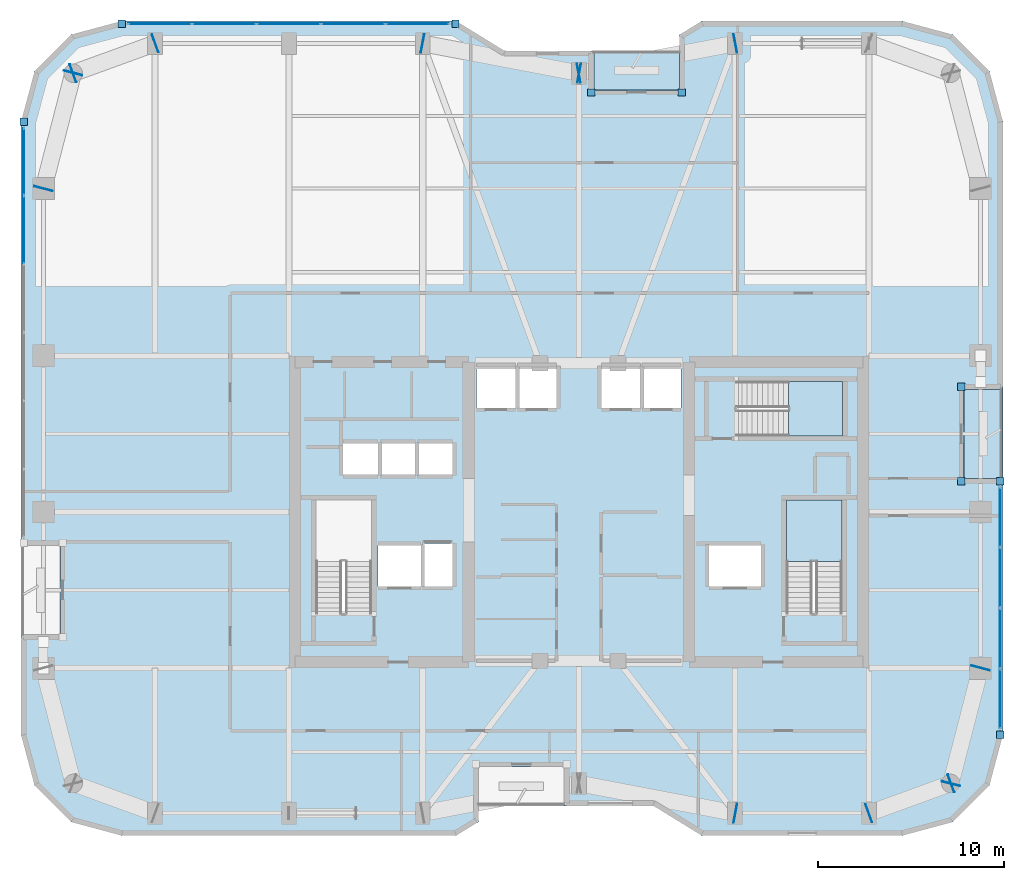
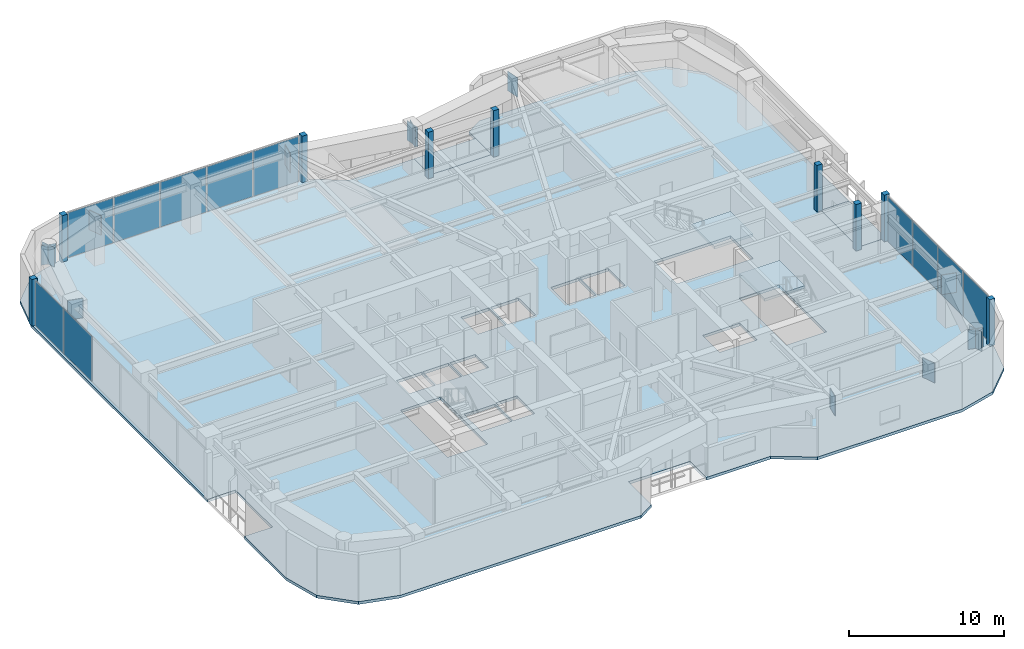
# One storey, part 22 of 30: 33 plates, 5 slabs, 5 elements without a shape of their own.
"""IFC4 building model written with IfcOpenShell, lengths in metres."""

from ifc_helpers import new_model, si_unit, direction, frame, origin, origin_2d, place, context, subcontext, project, spatial, polyline, rectangle, outline, extrude, material, layer, layer_set, type_object, element, aggregate, save


model = new_model("IFC4")

# Units and contexts
model_context = context("Model", 3, precision=1e-05, world=origin(), true_north=direction((0.0, 1.0)))
body_context = subcontext(model_context, "Body", "Model", "MODEL_VIEW")
ifc_project = project(units=[si_unit("LENGTHUNIT", "METRE"), si_unit("AREAUNIT", "SQUARE_METRE"), si_unit("VOLUMEUNIT", "CUBIC_METRE"), si_unit("PLANEANGLEUNIT", "RADIAN"), si_unit("MASSUNIT", "GRAM", prefix="KILO")], contexts=[model_context])

# Site, building, storey
site_placement = place(None, origin())
site = spatial("IfcSite", under=ifc_project, at=site_placement, CompositionType="ELEMENT")
building_placement = place(site_placement, origin())
building = spatial("IfcBuilding", under=site, at=building_placement, Name="Kiyonajd Concourse Tower", CompositionType="ELEMENT")
storey_placement = place(building_placement, frame((0.0, 0.0, 198.0)))
storey = spatial("IfcBuildingStorey", under=building, at=storey_placement, Name="L50", CompositionType="ELEMENT", Elevation=198.0)

# Plates
ifc_material_1 = material(Name="Steel ASTM A572 Grade 50", Category="steel")
ifc_layer_1 = layer(ifc_material_1, 0.031982421875)
ifc_layer_set_1 = layer_set([ifc_layer_1], Name="Steel ASTM A572 Grade 50")
plate_type_1 = type_object("IfcPlateType", Name="PL-CAP-540", PredefinedType="USERDEFINED", material=ifc_layer_set_1)
for number, where, z_axis, x_axis, name in (
    (1, (56.410888671875, 19.7978515625, 2.2099609375), (0.0, 0.0, 1.0), (0.982352599301, -0.187038420242, 0.0), "L50 Welded Box Girder End Cap"),
    (2, (63.589599609375, 19.796142578125, 2.2099609375), (0.0, 0.0, 1.0), (-0.939811951086, -0.341692107891, 0.0), "L50 Welded Box Girder End Cap"),
    (3, (68.01025390625, 21.40380859375, 2.2099609375), (0.0, 0.0, 1.0), (0.939811951086, 0.341692107891, 0.0), "L50 Welded Box Girder End Cap"),
    (4, (67.997314453125, 21.389404296875, 2.2099609375), (0.0, 0.0, 1.0), (-0.249873048837, -0.968278606324, 0.0), "L50 Welded Box Girder End Cap"),
    (5, (69.602783203125, 27.610595703125, 2.2099609375), (0.0, 0.0, 1.0), (0.249873048837, 0.968278606324, 0.0), "L50 Welded Box Girder End Cap"),
    (6, (56.410888671875, 61.2021484375, 2.2099609375), (0.0, 0.0, 1.0), (0.982352599301, 0.187038420242, 0.0), "L50 Welded Box Girder End Cap"),
    (7, (47.9892578125, 59.597900390625, 2.2099609375), (0.0, 0.0, 1.0), (-0.982352599301, -0.187038420242, 0.0), "L50 Welded Box Girder End Cap"),
    (8, (48.0107421875, 59.597900390625, 2.2099609375), (0.0, 0.0, 1.0), (0.982352599301, -0.187038420242, 0.0), "L50 Welded Box Girder End Cap"),
    (9, (39.589111328125, 61.2021484375, 2.2099609375), (0.0, 0.0, 1.0), (-0.982352599301, 0.187038420242, 0.0), "L50 Welded Box Girder End Cap"),
    (10, (25.210205078125, 61.203857421875, 2.2099609375), (0.0, 0.0, 1.0), (0.939811951086, 0.341692107891, 0.0), "L50 Welded Box Girder End Cap"),
    (11, (20.789794921875, 59.59619140625, 2.2099609375), (0.0, 0.0, 1.0), (-0.939811951086, -0.341692107891, 0.0), "L50 Welded Box Girder End Cap"),
    (12, (20.802734375, 59.610595703125, 2.2099609375), (0.0, 0.0, 1.0), (0.249873048837, 0.968278606324, 0.0), "L50 Welded Box Girder End Cap"),
    (13, (19.197265625, 53.389404296875, 2.2099609375), (0.0, 0.0, 1.0), (-0.249873048837, -0.968278606324, 0.0), "L50 Welded Box Girder End Cap"),
):
    element("IfcPlate", number, at=place(storey_placement, frame(where, z_axis=z_axis, x_axis=x_axis)), inside=storey, type_object=plate_type_1, Name=name, ObjectType="CAP PLATE", PredefinedType="USERDEFINED", context=body_context, shape_type="SweptSolid", body=[
        extrude(rectangle(XDim=0.035888671875, YDim=1.02001953125, at=origin_2d()), origin(), (0.0, 0.0, 1.0), 1.5400390625),
    ])

# Curtain wall, plates
ifc_material_2 = material(Name="Thermally Broken Anodised Aluminium", Category="aluminium")
ifc_layer_2 = layer(ifc_material_2, 0.179931640625)
ifc_layer_set_2 = layer_set([ifc_layer_2], Name="Thermally Broken Anodised Aluminium")
curtain_wall_type = type_object("IfcCurtainWallType", Name="CW-SYS-03", PredefinedType="NOTDEFINED", material=ifc_layer_set_2)
curtain_wall_1_placement = place(storey_placement, origin())
curtain_wall_1 = element("IfcCurtainWall", 14, at=curtain_wall_1_placement, inside=storey, type_object=curtain_wall_type, Name="L50 Unitised Curtain Wall CW3", PredefinedType="NOTDEFINED")
ifc_material_3 = material(Name="Double Low-E Insulated Glass", Category="glass")
ifc_layer_3 = layer(ifc_material_3, 0.033935546875)
ifc_layer_set_3 = layer_set([ifc_layer_3], Name="Double Low-E Insulated Glass")
plate_type_2 = type_object("IfcPlateType", Name="PL-CW-VIS34", PredefinedType="CURTAIN_PANEL", material=ifc_layer_set_3)
plate_1_placement = place(storey_placement, frame((18.139892578125, 51.17626953125, 0.06494140625), z_axis=(0.0, 0.0, 1.0), x_axis=(0.0, 1.0, 0.0)))
plate_1 = element("IfcPlate", 15, at=plate_1_placement, type_object=plate_type_2, Name="CW3 panel 5.1", PredefinedType="CURTAIN_PANEL", context=body_context, shape_type="SweptSolid", body=[
    extrude(rectangle(XDim=3.61181640625, YDim=0.033935546875, at=origin_2d()), origin(), (0.0, 0.0, 1.0), 3.550048828125),
])
plate_2_placement = place(storey_placement, frame((18.139892578125, 54.8369140625, 0.06494140625), z_axis=(0.0, 0.0, 1.0), x_axis=(0.0, 1.0, 0.0)))
plate_2 = element("IfcPlate", 16, at=plate_2_placement, type_object=plate_type_2, Name="CW3 panel 6.1", PredefinedType="CURTAIN_PANEL", context=body_context, shape_type="SweptSolid", body=[
    extrude(rectangle(XDim=3.579345703125, YDim=0.033935546875, at=origin_2d()), origin(), (0.0, 0.0, 1.0), 3.550048828125),
])
aggregate(curtain_wall_1, [plate_1, plate_2])

curtain_wall_2_placement = place(storey_placement, origin())
curtain_wall_2 = element("IfcCurtainWall", 17, at=curtain_wall_2_placement, inside=storey, type_object=curtain_wall_type, Name="L50 Unitised Curtain Wall CW3", PredefinedType="NOTDEFINED")
plate_3_placement = place(storey_placement, frame((25.4609375, 62.260009765625, 0.06494140625), z_axis=(0.0, 0.0, 1.0), x_axis=(1.0, 0.0, 0.0)))
plate_3 = element("IfcPlate", 18, at=plate_3_placement, type_object=plate_type_2, Name="CW3 panel 1.1", PredefinedType="CURTAIN_PANEL", context=body_context, shape_type="SweptSolid", body=[
    extrude(rectangle(XDim=3.375, YDim=0.033935546875, at=origin_2d()), origin(), (0.0, 0.0, 1.0), 3.550048828125),
])
plate_4_placement = place(storey_placement, frame((28.9169921875, 62.260009765625, 0.06494140625), z_axis=(0.0, 0.0, 1.0), x_axis=(1.0, 0.0, 0.0)))
plate_4 = element("IfcPlate", 19, at=plate_4_placement, type_object=plate_type_2, Name="CW3 panel 2.1", PredefinedType="CURTAIN_PANEL", context=body_context, shape_type="SweptSolid", body=[
    extrude(rectangle(XDim=3.407470703125, YDim=0.033935546875, at=origin_2d()), origin(), (0.0, 0.0, 1.0), 3.550048828125),
])
plate_5_placement = place(storey_placement, frame((32.389404296875, 62.260009765625, 0.06494140625), z_axis=(0.0, 0.0, 1.0), x_axis=(1.0, 0.0, 0.0)))
plate_5 = element("IfcPlate", 20, at=plate_5_placement, type_object=plate_type_2, Name="CW3 panel 3.1", PredefinedType="CURTAIN_PANEL", context=body_context, shape_type="SweptSolid", body=[
    extrude(rectangle(XDim=3.407470703125, YDim=0.033935546875, at=origin_2d()), origin(), (0.0, 0.0, 1.0), 3.550048828125),
])
plate_6_placement = place(storey_placement, frame((35.86181640625, 62.260009765625, 0.06494140625), z_axis=(0.0, 0.0, 1.0), x_axis=(1.0, 0.0, 0.0)))
plate_6 = element("IfcPlate", 21, at=plate_6_placement, type_object=plate_type_2, Name="CW3 panel 4.1", PredefinedType="CURTAIN_PANEL", context=body_context, shape_type="SweptSolid", body=[
    extrude(rectangle(XDim=3.407470703125, YDim=0.033935546875, at=origin_2d()), origin(), (0.0, 0.0, 1.0), 3.550048828125),
])
plate_7_placement = place(storey_placement, frame((39.31787109375, 62.260009765625, 0.06494140625), z_axis=(0.0, 0.0, 1.0), x_axis=(1.0, 0.0, 0.0)))
plate_7 = element("IfcPlate", 22, at=plate_7_placement, type_object=plate_type_2, Name="CW3 panel 5.1", PredefinedType="CURTAIN_PANEL", context=body_context, shape_type="SweptSolid", body=[
    extrude(rectangle(XDim=3.375, YDim=0.033935546875, at=origin_2d()), origin(), (0.0, 0.0, 1.0), 3.550048828125),
])
aggregate(curtain_wall_2, [plate_3, plate_4, plate_5, plate_6, plate_7])

curtain_wall_3_placement = place(storey_placement, origin())
curtain_wall_3 = element("IfcCurtainWall", 23, at=curtain_wall_3_placement, inside=storey, type_object=curtain_wall_type, Name="L50 Unitised Curtain Wall CW3", PredefinedType="NOTDEFINED")
plate_8_placement = place(storey_placement, frame((70.659912109375, 35.720947265625, 0.06494140625), z_axis=(0.0, 0.0, 1.0), x_axis=(0.0, -1.0, 0.0)))
plate_8 = element("IfcPlate", 24, at=plate_8_placement, type_object=plate_type_2, Name="CW3 panel 1.1", PredefinedType="CURTAIN_PANEL", context=body_context, shape_type="SweptSolid", body=[
    extrude(rectangle(XDim=3.16796875, YDim=0.033935546875, at=origin_2d()), origin(), (0.0, 0.0, 1.0), 3.550048828125),
])
plate_9_placement = place(storey_placement, frame((70.659912109375, 32.471923828125, 0.06494140625), z_axis=(0.0, 0.0, 1.0), x_axis=(0.0, -1.0, 0.0)))
plate_9 = element("IfcPlate", 25, at=plate_9_placement, type_object=plate_type_2, Name="CW3 panel 2.1", PredefinedType="CURTAIN_PANEL", context=body_context, shape_type="SweptSolid", body=[
    extrude(rectangle(XDim=3.200439453125, YDim=0.033935546875, at=origin_2d()), origin(), (0.0, 0.0, 1.0), 3.550048828125),
])
plate_10_placement = place(storey_placement, frame((70.659912109375, 29.20654296875, 0.06494140625), z_axis=(0.0, 0.0, 1.0), x_axis=(0.0, -1.0, 0.0)))
plate_10 = element("IfcPlate", 26, at=plate_10_placement, type_object=plate_type_2, Name="CW3 panel 3.1", PredefinedType="CURTAIN_PANEL", context=body_context, shape_type="SweptSolid", body=[
    extrude(rectangle(XDim=3.200439453125, YDim=0.033935546875, at=origin_2d()), origin(), (0.0, 0.0, 1.0), 3.550048828125),
])
plate_11_placement = place(storey_placement, frame((70.659912109375, 25.957275390625, 0.06494140625), z_axis=(0.0, 0.0, 1.0), x_axis=(0.0, -1.0, 0.0)))
plate_11 = element("IfcPlate", 27, at=plate_11_placement, type_object=plate_type_2, Name="CW3 panel 4.1", PredefinedType="CURTAIN_PANEL", context=body_context, shape_type="SweptSolid", body=[
    extrude(rectangle(XDim=3.16796875, YDim=0.033935546875, at=origin_2d()), origin(), (0.0, 0.0, 1.0), 3.550048828125),
])
aggregate(curtain_wall_3, [plate_8, plate_9, plate_10, plate_11])

# Plates
ifc_layer_4 = layer(ifc_material_2, 0.39990234375)
ifc_layer_set_4 = layer_set([ifc_layer_4], Name="Thermally Broken Anodised Aluminium")
plate_type_3 = type_object("IfcPlateType", Name="PL-JMB-400", PredefinedType="USERDEFINED", material=ifc_layer_set_4)
for number, where, z_axis, x_axis, name in (
    (28, (18.139892578125, 56.981689453125, 0.0), (0.0, 0.0, 1.0), (1.0, 0.0, 0.0), "L50 Facade Jamb Closure Plate 04"),
    (29, (23.41845703125, 62.260009765625, 0.0), (0.0, 0.0, 1.0), (1.0, 0.0, 0.0), "L50 Facade Jamb Closure Plate 05"),
    (30, (41.3603515625, 62.260009765625, 0.0), (0.0, 0.0, 1.0), (1.0, 0.0, 0.0), "L50 Facade Jamb Closure Plate 06"),
    (31, (48.659912109375, 58.56005859375, 0.0), (0.0, 0.0, 1.0), (1.0, 0.0, 0.0), "L50 Facade Jamb Closure Plate 07"),
    (32, (53.5400390625, 58.56005859375, 0.0), (0.0, 0.0, 1.0), (1.0, 0.0, 0.0), "L50 Facade Jamb Closure Plate 08"),
    (33, (68.56005859375, 42.739990234375, 0.0), (0.0, 0.0, 1.0), (1.0, 0.0, 0.0), "L50 Facade Jamb Closure Plate 09"),
    (34, (68.56005859375, 37.659912109375, 0.0), (0.0, 0.0, 1.0), (1.0, 0.0, 0.0), "L50 Facade Jamb Closure Plate 10"),
    (35, (70.659912109375, 37.659912109375, 0.0), (0.0, 0.0, 1.0), (1.0, 0.0, 0.0), "L50 Facade Jamb Closure Plate 11"),
    (36, (70.659912109375, 24.018310546875, 0.0), (0.0, 0.0, 1.0), (1.0, 0.0, 0.0), "L50 Facade Jamb Closure Plate 12"),
):
    element("IfcPlate", number, at=place(storey_placement, frame(where, z_axis=z_axis, x_axis=x_axis)), inside=storey, type_object=plate_type_3, Name=name, ObjectType="JAMB PLATE", PredefinedType="USERDEFINED", context=body_context, shape_type="SweptSolid", body=[
        extrude(rectangle(XDim=0.39990234375, YDim=0.39990234375, at=origin_2d()), origin(), (0.0, 0.0, 1.0), 3.679931640625),
    ])

# Stair, slab
ifc_material_4 = material(Name="Concrete C40/50", Category="concrete")
stair_type = type_object("IfcStairType", Name="ST-DLG-22R", PredefinedType="HALF_TURN_STAIR", material=ifc_material_4)
stair_1_placement = place(storey_placement, origin())
stair_1 = element("IfcStair", 37, at=stair_1_placement, inside=storey, type_object=stair_type, Name="L50 Protected Exit Stair ST2", PredefinedType="HALF_TURN_STAIR")
ifc_layer_5 = layer(ifc_material_4, 0.199951171875)
ifc_layer_set_5 = layer_set([ifc_layer_5], Name="Concrete C40/50")
slab_type_1 = type_object("IfcSlabType", Name="SL-LND-200", PredefinedType="LANDING", material=ifc_layer_set_5)
slab_1_placement = place(storey_placement, frame((0.0, 0.0, 1.75)))
slab_1 = element("IfcSlab", 38, at=slab_1_placement, type_object=slab_type_1, Name="ST2 landing 1", PredefinedType="LANDING", context=body_context, shape_type="SweptSolid", body=[
    extrude(outline(polyline([(62.14990234375, 33.35009765625), (62.14990234375, 36.64990234375), (59.14990234375, 36.64990234375), (59.14990234375, 33.35009765625), (62.14990234375, 33.35009765625)])), origin(), (0.0, 0.0, 1.0), 0.199951171875),
])
aggregate(stair_1, [slab_1])

stair_2_placement = place(storey_placement, origin())
stair_2 = element("IfcStair", 39, at=stair_2_placement, inside=storey, type_object=stair_type, Name="L50 Protected Exit Stair ST3", PredefinedType="HALF_TURN_STAIR")
slab_2_placement = place(storey_placement, frame((0.0, 0.0, 1.75)))
slab_2 = element("IfcSlab", 40, at=slab_2_placement, type_object=slab_type_1, Name="ST3 landing 1", PredefinedType="LANDING", context=body_context, shape_type="SweptSolid", body=[
    extrude(outline(polyline([(59.280029296875, 40.080078125), (62.179931640625, 40.080078125), (62.179931640625, 43.02001953125), (59.280029296875, 43.02001953125), (59.280029296875, 40.080078125)])), origin(), (0.0, 0.0, 1.0), 0.199951171875),
])
aggregate(stair_2, [slab_2])

# Slabs
ifc_material_5 = material(Name="Precast concrete C50/60", Category="concrete")
ifc_layer_6 = layer(ifc_material_5, 0.199951171875)
ifc_layer_set_6 = layer_set([ifc_layer_6], Name="Precast concrete C50/60")
slab_type_2 = type_object("IfcSlabType", Name="SL-LOG-200", PredefinedType="FLOOR", material=ifc_layer_set_6)
slab_3_placement = place(storey_placement, frame((0.0, 0.0, -0.199951171875)))
element("IfcSlab", 41, at=slab_3_placement, inside=storey, type_object=slab_type_2, Name="L50 Recessed Engawa Loggia Terrace Slab LOG-N", PredefinedType="FLOOR", context=body_context, shape_type="SweptSolid", body=[
    extrude(outline(polyline([(48.800048828125, 58.699951171875), (53.39990234375, 58.699951171875), (53.39990234375, 60.800048828125), (48.800048828125, 60.800048828125), (48.800048828125, 58.699951171875)])), origin(), (0.0, 0.0, 1.0), 0.199951171875),
])
slab_4_placement = place(storey_placement, frame((0.0, 0.0, -0.199951171875)))
element("IfcSlab", 42, at=slab_4_placement, inside=storey, type_object=slab_type_2, Name="L50 Recessed Engawa Loggia Terrace Slab LOG-E", PredefinedType="FLOOR", context=body_context, shape_type="SweptSolid", body=[
    extrude(outline(polyline([(68.699951171875, 37.800048828125), (70.800048828125, 37.800048828125), (70.800048828125, 42.60009765625), (68.699951171875, 42.60009765625), (68.699951171875, 37.800048828125)])), origin(), (0.0, 0.0, 1.0), 0.199951171875),
])
ifc_layer_7 = layer(ifc_material_4, 0.219970703125)
ifc_layer_set_7 = layer_set([ifc_layer_7], Name="Concrete C40/50")
slab_type_3 = type_object("IfcSlabType", Name="SL-TWR-220", PredefinedType="FLOOR", material=ifc_layer_set_7)
slab_5_placement = place(storey_placement, frame((0.0, 0.0, -0.219970703125)))
element("IfcSlab", 43, at=slab_5_placement, inside=storey, type_object=slab_type_3, Name="L50 Tower Conditioned Floor Slab", PredefinedType="FLOOR", context=body_context, shape_type="SweptSolid", body=[
    extrude(outline(polyline([(18.722900390625, 21.300048828125), (18.0, 24.0), (18.0, 29.39990234375), (20.10009765625, 29.39990234375), (20.10009765625, 34.199951171875), (18.0, 34.199951171875), (18.0, 57.0), (18.722900390625, 59.699951171875), (20.699951171875, 61.677001953125), (23.39990234375, 62.39990234375), (41.39990234375, 62.39990234375), (44.0, 60.800048828125), (48.800048828125, 60.800048828125), (48.800048828125, 58.699951171875), (53.39990234375, 58.699951171875), (53.39990234375, 61.662109375), (54.60009765625, 62.39990234375), (65.39990234375, 62.39990234375), (68.10009765625, 61.677001953125), (70.076904296875, 59.699951171875), (70.800048828125, 57.0), (70.800048828125, 42.60009765625), (68.699951171875, 42.60009765625), (68.699951171875, 37.800048828125), (70.800048828125, 37.800048828125), (70.800048828125, 24.0), (70.076904296875, 21.300048828125), (68.10009765625, 19.322998046875), (65.39990234375, 18.60009765625), (54.60009765625, 18.60009765625), (52.0, 20.199951171875), (47.199951171875, 20.199951171875), (47.199951171875, 22.300048828125), (42.60009765625, 22.300048828125), (42.60009765625, 19.337890625), (41.39990234375, 18.60009765625), (23.39990234375, 18.60009765625), (20.699951171875, 19.322998046875), (18.722900390625, 21.300048828125)]), holes=[polyline([(39.5, 32.0), (37.199951171875, 32.0), (37.199951171875, 34.199951171875), (39.5, 34.199951171875), (39.5, 32.0)]), polyline([(39.60009765625, 32.0), (39.60009765625, 34.300048828125), (41.199951171875, 34.300048828125), (41.199951171875, 32.0), (39.60009765625, 32.0)]), polyline([(33.85009765625, 30.550048828125), (33.85009765625, 36.64990234375), (36.85009765625, 36.64990234375), (36.85009765625, 30.550048828125), (33.85009765625, 30.550048828125)]), polyline([(37.199951171875, 38.0), (35.300048828125, 38.0), (35.300048828125, 39.699951171875), (37.199951171875, 39.699951171875), (37.199951171875, 38.0)]), polyline([(37.300048828125, 38.0), (37.300048828125, 39.699951171875), (39.199951171875, 39.699951171875), (39.199951171875, 38.0), (37.300048828125, 38.0)]), polyline([(39.300048828125, 38.0), (39.300048828125, 39.699951171875), (41.199951171875, 39.699951171875), (41.199951171875, 38.0), (39.300048828125, 38.0)]), polyline([(44.60009765625, 41.60009765625), (42.5, 41.60009765625), (42.5, 43.800048828125), (44.60009765625, 43.800048828125), (44.60009765625, 41.60009765625)]), polyline([(55.0, 32.0), (55.0, 34.199951171875), (57.800048828125, 34.199951171875), (57.800048828125, 32.0), (55.0, 32.0)]), polyline([(59.14990234375, 30.550048828125), (59.14990234375, 36.64990234375), (62.14990234375, 36.64990234375), (62.14990234375, 30.550048828125), (59.14990234375, 30.550048828125)]), polyline([(56.47998046875, 43.02001953125), (62.179931640625, 43.02001953125), (62.179931640625, 40.080078125), (56.47998046875, 40.080078125), (56.47998046875, 43.02001953125)]), polyline([(44.699951171875, 41.60009765625), (44.699951171875, 43.800048828125), (46.800048828125, 43.800048828125), (46.800048828125, 41.60009765625), (44.699951171875, 41.60009765625)]), polyline([(49.199951171875, 41.60009765625), (49.199951171875, 43.800048828125), (51.300048828125, 43.800048828125), (51.300048828125, 41.60009765625), (49.199951171875, 41.60009765625)]), polyline([(51.39990234375, 41.60009765625), (51.39990234375, 43.800048828125), (53.5, 43.800048828125), (53.5, 41.60009765625), (51.39990234375, 41.60009765625)])]), origin(), (0.0, 0.0, 1.0), 0.219970703125),
])

save(model, "model.ifc")
